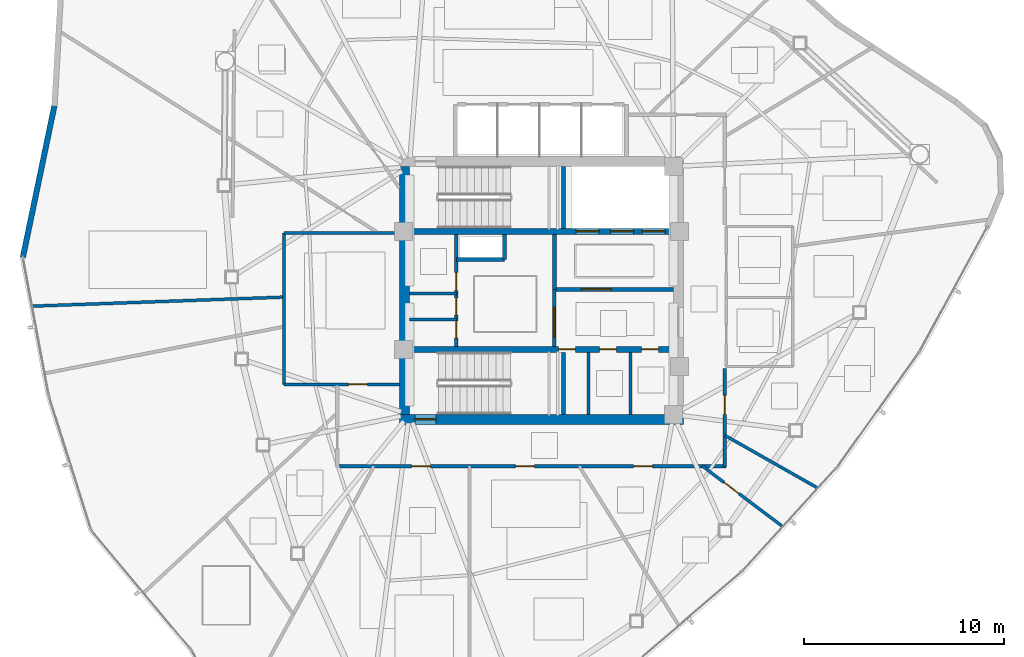
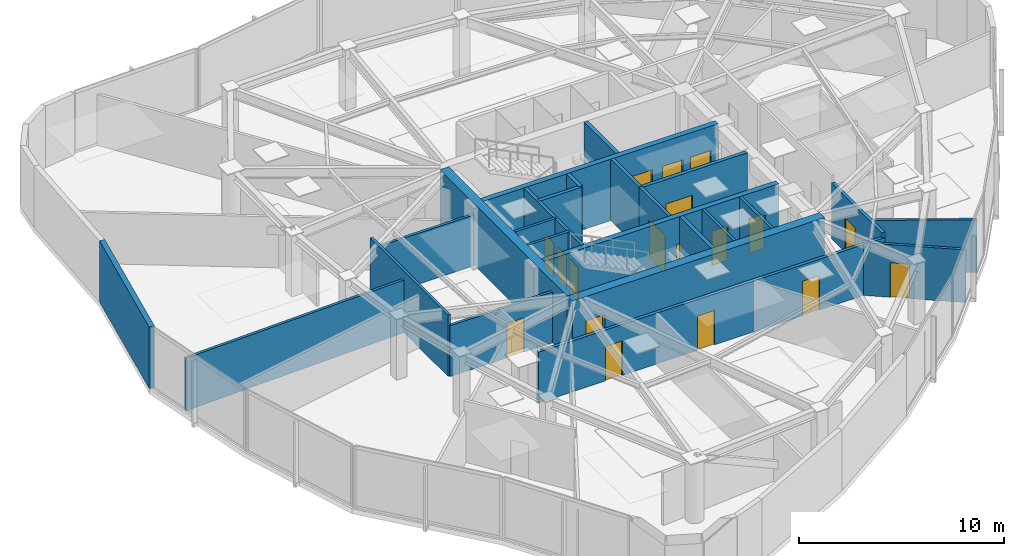
# One storey, part 8 of 13: 25 walls, 18 doors, 18 openings.
"""IFC4 building model written with IfcOpenShell, lengths in metres."""

from ifc_helpers import new_model, si_unit, direction, frame, frame_2d, origin, place, context, subcontext, project, spatial, rectangle, extrude, material, layer, layer_set, type_object, element, fill, save


model = new_model("IFC4")

# Units and contexts
model_context = context("Model", 3, precision=1e-05, world=origin(), true_north=direction((0.0, 1.0)))
body_context = subcontext(model_context, "Body", "Model", "MODEL_VIEW")
ifc_project = project(units=[si_unit("LENGTHUNIT", "METRE"), si_unit("AREAUNIT", "SQUARE_METRE"), si_unit("VOLUMEUNIT", "CUBIC_METRE"), si_unit("PLANEANGLEUNIT", "RADIAN"), si_unit("MASSUNIT", "GRAM", prefix="KILO")], contexts=[model_context])

# Site, building, storey
site_placement = place(None, origin())
site = spatial("IfcSite", under=ifc_project, at=site_placement, CompositionType="ELEMENT")
building_placement = place(site_placement, origin())
building = spatial("IfcBuilding", under=site, at=building_placement, Name="Tavelor Broadcast Tower", CompositionType="ELEMENT")
storey_placement = place(building_placement, frame((0.0, 0.0, 226.10009765625)))
storey = spatial("IfcBuildingStorey", under=building, at=storey_placement, Name="L53", CompositionType="ELEMENT", Elevation=226.10009765625)

# Wall, opening, door
ifc_material_1 = material(Name="Concrete C50/60", Category="concrete")
ifc_layer_1 = layer(ifc_material_1, 0.5)
ifc_layer_set_1 = layer_set([ifc_layer_1], Name="Concrete C50/60")
wall_type_1 = type_object("IfcWallType", Name="Core Shear Wall 500 mm", PredefinedType="SHEAR", material=ifc_layer_set_1)
wall_1_placement = place(storey_placement, frame((42.89990234375, 38.550048828125, 0.0), z_axis=(0.0, 0.0, 1.0), x_axis=(1.0, 0.0, 0.0)))
wall_1 = element("IfcWall", 1, at=wall_1_placement, inside=storey, type_object=wall_type_1, Name="L53 Central Core Shear Wall S", PredefinedType="SHEAR", context=body_context, shape_type="SweptSolid", body=[
    extrude(rectangle(XDim=14.2001953125, YDim=0.5, at=frame_2d((7.10009765625, 0.0))), origin(), (0.0, 0.0, 1.0), 3.64990234375),
])
opening_1_placement = place(wall_1_placement, frame((0.780029296875, 0.0, 0.0)))
opening_1 = element("IfcOpeningElement", 2, at=opening_1_placement, cuts=wall_1, Name="Opening DR11", PredefinedType="OPENING", context=body_context, shape_type="SweptSolid", body=[
    extrude(rectangle(XDim=1.050048828125, YDim=2.199951171875, at=frame_2d((0.52490234375, 1.10009765625))), frame((0.0, 0.260009765625, 0.0), z_axis=(0.0, -1.0, 0.0), x_axis=(1.0, 0.0, 0.0)), (0.0, 0.0, 1.0), 0.52001953125),
])
ifc_material_2 = material(Name="Steel S355", Category="steel")
door_type_1 = type_object("IfcDoorType", Name="Stair Core Fire Escape Door 1050x2200", OperationType="NOTDEFINED", PredefinedType="DOOR", material=ifc_material_2)
door_1_placement = place(opening_1_placement, origin())
door_1 = element("IfcDoor", 3, at=door_1_placement, inside=storey, type_object=door_type_1, Name="L53 Stair ST2 Protected Exit Door", OperationType="SINGLE_SWING_RIGHT", OverallHeight=2.199951171875, OverallWidth=1.050048828125, PredefinedType="DOOR", context=body_context, shape_type="SweptSolid", body=[
    extrude(rectangle(XDim=1.050048828125, YDim=2.199951171875, at=frame_2d((0.52490234375, 1.10009765625))), frame((0.0, 0.02490234375, 0.0), z_axis=(0.0, -1.0, 0.0), x_axis=(1.0, 0.0, 0.0)), (0.0, 0.0, 1.0), 0.050048828125),
])
fill(opening_1, door_1)

# Wall
wall_2_placement = place(storey_placement, frame((43.14990234375, 38.800048828125, 0.0), z_axis=(0.0, 0.0, 1.0), x_axis=(0.0, 1.0, 0.0)))
element("IfcWall", 4, at=wall_2_placement, inside=storey, type_object=wall_type_1, Name="L53 Central Core Shear Wall W", PredefinedType="SHEAR", context=body_context, shape_type="SweptSolid", body=[
    extrude(rectangle(XDim=12.39990234375, YDim=0.5, at=frame_2d((6.199951171875, 0.0))), origin(), (0.0, 0.0, 1.0), 3.64990234375),
])

# Wall, openings, doors
ifc_layer_2 = layer(ifc_material_1, 0.300048828125)
ifc_layer_set_2 = layer_set([ifc_layer_2], Name="Concrete C50/60")
wall_type_2 = type_object("IfcWallType", Name="Core Spine Shear Wall 300 mm C50", PredefinedType="SHEAR", material=ifc_layer_set_2)
wall_3_placement = place(storey_placement, frame((43.39990234375, 47.949951171875, 0.0), z_axis=(0.0, 0.0, 1.0), x_axis=(1.0, 0.0, 0.0)))
wall_3 = element("IfcWall", 5, at=wall_3_placement, inside=storey, type_object=wall_type_2, Name="L53 Central Core Shear Wall SP1", PredefinedType="SHEAR", context=body_context, shape_type="SweptSolid", body=[
    extrude(rectangle(XDim=13.2001953125, YDim=0.300048828125, at=frame_2d((6.60009765625, 0.0))), origin(), (0.0, 0.0, 1.0), 3.64990234375),
])
opening_2_placement = place(wall_3_placement, frame((8.344970703125, 0.0, 0.0)))
opening_2 = element("IfcOpeningElement", 6, at=opening_2_placement, cuts=wall_3, Name="Opening LD02", PredefinedType="OPENING", context=body_context, shape_type="SweptSolid", body=[
    extrude(rectangle(XDim=1.14990234375, YDim=2.199951171875, at=frame_2d((0.574951171875, 1.10009765625))), frame((0.0, 0.16015625, 0.0), z_axis=(0.0, -1.0, 0.0), x_axis=(1.0, 0.0, 0.0)), (0.0, 0.0, 1.0), 0.320068359375),
])
opening_3_placement = place(wall_3_placement, frame((10.06494140625, 0.0, 0.0)))
opening_3 = element("IfcOpeningElement", 7, at=opening_3_placement, cuts=wall_3, Name="Opening LD02", PredefinedType="OPENING", context=body_context, shape_type="SweptSolid", body=[
    extrude(rectangle(XDim=1.14990234375, YDim=2.199951171875, at=frame_2d((0.574951171875, 1.10009765625))), frame((0.0, 0.16015625, 0.0), z_axis=(0.0, -1.0, 0.0), x_axis=(1.0, 0.0, 0.0)), (0.0, 0.0, 1.0), 0.320068359375),
])
opening_4_placement = place(wall_3_placement, frame((11.64501953125, 0.0, 0.0)))
opening_4 = element("IfcOpeningElement", 8, at=opening_4_placement, cuts=wall_3, Name="Opening LD03", PredefinedType="OPENING", context=body_context, shape_type="SweptSolid", body=[
    extrude(rectangle(XDim=1.14990234375, YDim=2.199951171875, at=frame_2d((0.574951171875, 1.10009765625))), frame((0.0, 0.16015625, 0.0), z_axis=(0.0, -1.0, 0.0), x_axis=(1.0, 0.0, 0.0)), (0.0, 0.0, 1.0), 0.320068359375),
])
ifc_material_3 = material(Name="Reinforced Brushed Stainless Steel", Category="concrete")
door_type_2 = type_object("IfcDoorType", Name="Broadcast Goods Lift Sliding Landing Door 1250x2200", OperationType="NOTDEFINED", PredefinedType="DOOR", material=ifc_material_3)
door_2_placement = place(opening_4_placement, origin())
door_2 = element("IfcDoor", 9, at=door_2_placement, inside=storey, type_object=door_type_2, Name="L53 Lift SVL1 Sliding Landing Door", OperationType="SLIDING_TO_LEFT", OverallHeight=2.199951171875, OverallWidth=1.14990234375, PredefinedType="DOOR", context=body_context, shape_type="SweptSolid", body=[
    extrude(rectangle(XDim=1.14990234375, YDim=2.199951171875, at=frame_2d((0.574951171875, 1.10009765625))), frame((0.0, 0.02490234375, 0.0), z_axis=(0.0, -1.0, 0.0), x_axis=(1.0, 0.0, 0.0)), (0.0, 0.0, 1.0), 0.050048828125),
])
fill(opening_4, door_2)
ifc_material_4 = material(Name="Fire-Rated Stainless Steel", Category="steel")
door_type_3 = type_object("IfcDoorType", Name="Firefighting Lift Sliding Landing Door 1200x2200", OperationType="NOTDEFINED", PredefinedType="DOOR", material=ifc_material_4)
door_3_placement = place(opening_2_placement, origin())
door_3 = element("IfcDoor", 10, at=door_3_placement, inside=storey, type_object=door_type_3, Name="L53 Lift FFL1 Sliding Landing Door", OperationType="SLIDING_TO_LEFT", OverallHeight=2.199951171875, OverallWidth=1.14990234375, PredefinedType="DOOR", context=body_context, shape_type="SweptSolid", body=[
    extrude(rectangle(XDim=1.14990234375, YDim=2.199951171875, at=frame_2d((0.574951171875, 1.10009765625))), frame((0.0, 0.02490234375, 0.0), z_axis=(0.0, -1.0, 0.0), x_axis=(1.0, 0.0, 0.0)), (0.0, 0.0, 1.0), 0.050048828125),
])
fill(opening_2, door_3)
door_4_placement = place(opening_3_placement, origin())
door_4 = element("IfcDoor", 11, at=door_4_placement, inside=storey, type_object=door_type_3, Name="L53 Lift FFL2 Sliding Landing Door", OperationType="SLIDING_TO_LEFT", OverallHeight=2.199951171875, OverallWidth=1.14990234375, PredefinedType="DOOR", context=body_context, shape_type="SweptSolid", body=[
    extrude(rectangle(XDim=1.14990234375, YDim=2.199951171875, at=frame_2d((0.574951171875, 1.10009765625))), frame((0.0, 0.02490234375, 0.0), z_axis=(0.0, -1.0, 0.0), x_axis=(1.0, 0.0, 0.0)), (0.0, 0.0, 1.0), 0.050048828125),
])
fill(opening_3, door_4)

wall_4_placement = place(storey_placement, frame((43.39990234375, 42.050048828125, 0.0), z_axis=(0.0, 0.0, 1.0), x_axis=(1.0, 0.0, 0.0)))
wall_4 = element("IfcWall", 12, at=wall_4_placement, inside=storey, type_object=wall_type_2, Name="L53 Central Core Shear Wall SP2", PredefinedType="SHEAR", context=body_context, shape_type="SweptSolid", body=[
    extrude(rectangle(XDim=13.2001953125, YDim=0.300048828125, at=frame_2d((6.60009765625, 0.0))), origin(), (0.0, 0.0, 1.0), 3.64990234375),
])
opening_5_placement = place(wall_4_placement, frame((7.449951171875, 0.0, 0.0)))
opening_5 = element("IfcOpeningElement", 13, at=opening_5_placement, cuts=wall_4, Name="Opening DR36", PredefinedType="OPENING", context=body_context, shape_type="SweptSolid", body=[
    extrude(rectangle(XDim=0.85009765625, YDim=2.050048828125, at=frame_2d((0.425048828125, 1.02490234375))), frame((0.0, 0.16015625, 0.0), z_axis=(0.0, -1.0, 0.0), x_axis=(1.0, 0.0, 0.0)), (0.0, 0.0, 1.0), 0.320068359375),
])
opening_6_placement = place(wall_4_placement, frame((9.5, 0.0, 0.0)))
opening_6 = element("IfcOpeningElement", 14, at=opening_6_placement, cuts=wall_4, Name="Opening DR36", PredefinedType="OPENING", context=body_context, shape_type="SweptSolid", body=[
    extrude(rectangle(XDim=0.85009765625, YDim=2.050048828125, at=frame_2d((0.425048828125, 1.02490234375))), frame((0.0, 0.16015625, 0.0), z_axis=(0.0, -1.0, 0.0), x_axis=(1.0, 0.0, 0.0)), (0.0, 0.0, 1.0), 0.320068359375),
])
opening_7_placement = place(wall_4_placement, frame((11.60009765625, 0.0, 0.0)))
opening_7 = element("IfcOpeningElement", 15, at=opening_7_placement, cuts=wall_4, Name="Opening DR36", PredefinedType="OPENING", context=body_context, shape_type="SweptSolid", body=[
    extrude(rectangle(XDim=0.85009765625, YDim=2.050048828125, at=frame_2d((0.425048828125, 1.02490234375))), frame((0.0, 0.16015625, 0.0), z_axis=(0.0, -1.0, 0.0), x_axis=(1.0, 0.0, 0.0)), (0.0, 0.0, 1.0), 0.320068359375),
])
door_type_4 = type_object("IfcDoorType", Name="Service Room Fire Door 850x2050", OperationType="NOTDEFINED", PredefinedType="DOOR", material=ifc_material_2)
door_5_placement = place(opening_5_placement, origin())
door_5 = element("IfcDoor", 16, at=door_5_placement, inside=storey, type_object=door_type_4, Name="L53 Reclaimed South Core Pod 1 Door", OperationType="SINGLE_SWING_RIGHT", OverallHeight=2.050048828125, OverallWidth=0.85009765625, PredefinedType="DOOR", context=body_context, shape_type="SweptSolid", body=[
    extrude(rectangle(XDim=0.85009765625, YDim=2.050048828125, at=frame_2d((0.425048828125, 1.02490234375))), frame((0.0, 0.02490234375, 0.0), z_axis=(0.0, -1.0, 0.0), x_axis=(1.0, 0.0, 0.0)), (0.0, 0.0, 1.0), 0.050048828125),
])
fill(opening_5, door_5)
door_6_placement = place(opening_6_placement, origin())
door_6 = element("IfcDoor", 17, at=door_6_placement, inside=storey, type_object=door_type_4, Name="L53 Reclaimed South Core Pod 2 Door", OperationType="SINGLE_SWING_LEFT", OverallHeight=2.050048828125, OverallWidth=0.85009765625, PredefinedType="DOOR", context=body_context, shape_type="SweptSolid", body=[
    extrude(rectangle(XDim=0.85009765625, YDim=2.050048828125, at=frame_2d((0.425048828125, 1.02490234375))), frame((0.0, 0.02490234375, 0.0), z_axis=(0.0, -1.0, 0.0), x_axis=(1.0, 0.0, 0.0)), (0.0, 0.0, 1.0), 0.050048828125),
])
fill(opening_6, door_6)
door_7_placement = place(opening_7_placement, origin())
door_7 = element("IfcDoor", 18, at=door_7_placement, inside=storey, type_object=door_type_4, Name="L53 Reclaimed South Core Pod 3 Door", OperationType="SINGLE_SWING_RIGHT", OverallHeight=2.050048828125, OverallWidth=0.85009765625, PredefinedType="DOOR", context=body_context, shape_type="SweptSolid", body=[
    extrude(rectangle(XDim=0.85009765625, YDim=2.050048828125, at=frame_2d((0.425048828125, 1.02490234375))), frame((0.0, 0.02490234375, 0.0), z_axis=(0.0, -1.0, 0.0), x_axis=(1.0, 0.0, 0.0)), (0.0, 0.0, 1.0), 0.050048828125),
])
fill(opening_7, door_7)

# Wall, opening, door
ifc_material_5 = material(Name="Calcium Silicate Fire Board 180 mm", Category="gypsum")
ifc_layer_3 = layer(ifc_material_5, 0.179931640625)
ifc_layer_set_3 = layer_set([ifc_layer_3], Name="Calcium Silicate Fire Board 180 mm")
wall_type_3 = type_object("IfcWallType", Name="Fire-Rated Corridor Partition Wall 180 mm", PredefinedType="PARTITIONING", material=ifc_layer_set_3)
wall_5_placement = place(storey_placement, frame((50.64990234375, 42.199951171875, 0.0), z_axis=(0.0, 0.0, 1.0), x_axis=(0.0, 1.0, 0.0)))
wall_5 = element("IfcWall", 19, at=wall_5_placement, inside=storey, type_object=wall_type_3, Name="L53 Core Lobby Zoning Wall", PredefinedType="PARTITIONING", context=body_context, shape_type="SweptSolid", body=[
    extrude(rectangle(XDim=2.85009765625, YDim=0.179931640625, at=frame_2d((1.425048828125, 0.0))), origin(), (0.0, 0.0, 1.0), 3.64990234375),
])
opening_8_placement = place(wall_5_placement, frame((0.449951171875, 0.0, 0.0)))
opening_8 = element("IfcOpeningElement", 20, at=opening_8_placement, cuts=wall_5, Name="Opening DR14", PredefinedType="OPENING", context=body_context, shape_type="SweptSolid", body=[
    extrude(rectangle(XDim=1.5, YDim=2.199951171875, at=frame_2d((0.75, 1.10009765625))), frame((0.0, 0.10009765625, 0.0), z_axis=(0.0, -1.0, 0.0), x_axis=(1.0, 0.0, 0.0)), (0.0, 0.0, 1.0), 0.199951171875),
])
door_type_5 = type_object("IfcDoorType", Name="Firefighting Lobby Double Fire Door 1500x2200", OperationType="NOTDEFINED", PredefinedType="DOOR", material=ifc_material_2)
door_8_placement = place(opening_8_placement, origin())
door_8 = element("IfcDoor", 21, at=door_8_placement, inside=storey, type_object=door_type_5, Name="L53 Core West Lobby Double Fire Door", OperationType="SINGLE_SWING_LEFT", OverallHeight=2.199951171875, OverallWidth=1.5, PredefinedType="DOOR", context=body_context, shape_type="SweptSolid", body=[
    extrude(rectangle(XDim=1.5, YDim=2.199951171875, at=frame_2d((0.75, 1.10009765625))), frame((0.0, 0.02490234375, 0.0), z_axis=(0.0, -1.0, 0.0), x_axis=(1.0, 0.0, 0.0)), (0.0, 0.0, 1.0), 0.050048828125),
])
fill(opening_8, door_8)

# Wall, openings, doors
wall_6_placement = place(storey_placement, frame((45.75, 42.199951171875, 0.0), z_axis=(0.0, 0.0, 1.0), x_axis=(0.0, 1.0, 0.0)))
wall_6 = element("IfcWall", 22, at=wall_6_placement, inside=storey, type_object=wall_type_3, Name="L53 Core West Service East Wall", PredefinedType="PARTITIONING", context=body_context, shape_type="SweptSolid", body=[
    extrude(rectangle(XDim=5.60009765625, YDim=0.179931640625, at=frame_2d((2.800048828125, 0.0))), origin(), (0.0, 0.0, 1.0), 3.64990234375),
])
opening_9_placement = place(wall_6_placement, frame((0.419921875, 0.0, 0.0)))
opening_9 = element("IfcOpeningElement", 23, at=opening_9_placement, cuts=wall_6, Name="Opening DR36", PredefinedType="OPENING", context=body_context, shape_type="SweptSolid", body=[
    extrude(rectangle(XDim=0.85009765625, YDim=2.050048828125, at=frame_2d((0.425048828125, 1.02490234375))), frame((0.0, 0.10009765625, 0.0), z_axis=(0.0, -1.0, 0.0), x_axis=(1.0, 0.0, 0.0)), (0.0, 0.0, 1.0), 0.199951171875),
])
opening_10_placement = place(wall_6_placement, frame((1.570068359375, 0.0, 0.0)))
opening_10 = element("IfcOpeningElement", 24, at=opening_10_placement, cuts=wall_6, Name="Opening DR36", PredefinedType="OPENING", context=body_context, shape_type="SweptSolid", body=[
    extrude(rectangle(XDim=0.85009765625, YDim=2.050048828125, at=frame_2d((0.425048828125, 1.02490234375))), frame((0.0, 0.10009765625, 0.0), z_axis=(0.0, -1.0, 0.0), x_axis=(1.0, 0.0, 0.0)), (0.0, 0.0, 1.0), 0.199951171875),
])
opening_11_placement = place(wall_6_placement, frame((2.800048828125, 0.0, 0.0)))
opening_11 = element("IfcOpeningElement", 25, at=opening_11_placement, cuts=wall_6, Name="Opening DR32", PredefinedType="OPENING", context=body_context, shape_type="SweptSolid", body=[
    extrude(rectangle(XDim=0.89990234375, YDim=2.050048828125, at=frame_2d((0.449951171875, 1.02490234375))), frame((0.0, 0.10009765625, 0.0), z_axis=(0.0, -1.0, 0.0), x_axis=(1.0, 0.0, 0.0)), (0.0, 0.0, 1.0), 0.199951171875),
])
ifc_material_6 = material(Name="Timber Solid Core Hardwood", Category="wood")
door_type_6 = type_object("IfcDoorType", Name="Accessible Washroom Door 900x2050", OperationType="NOTDEFINED", PredefinedType="DOOR", material=ifc_material_6)
door_9_placement = place(opening_11_placement, origin())
door_9 = element("IfcDoor", 26, at=door_9_placement, inside=storey, type_object=door_type_6, Name="L53 Core Accessible WC Door", OperationType="SINGLE_SWING_LEFT", OverallHeight=2.050048828125, OverallWidth=0.89990234375, PredefinedType="DOOR", context=body_context, shape_type="SweptSolid", body=[
    extrude(rectangle(XDim=0.89990234375, YDim=2.050048828125, at=frame_2d((0.449951171875, 1.02490234375))), frame((0.0, 0.02490234375, 0.0), z_axis=(0.0, -1.0, 0.0), x_axis=(1.0, 0.0, 0.0)), (0.0, 0.0, 1.0), 0.050048828125),
])
fill(opening_11, door_9)
door_10_placement = place(opening_9_placement, origin())
door_10 = element("IfcDoor", 27, at=door_10_placement, inside=storey, type_object=door_type_4, Name="L53 Core Medical Room Door", OperationType="SINGLE_SWING_LEFT", OverallHeight=2.050048828125, OverallWidth=0.85009765625, PredefinedType="DOOR", context=body_context, shape_type="SweptSolid", body=[
    extrude(rectangle(XDim=0.85009765625, YDim=2.050048828125, at=frame_2d((0.425048828125, 1.02490234375))), frame((0.0, 0.02490234375, 0.0), z_axis=(0.0, -1.0, 0.0), x_axis=(1.0, 0.0, 0.0)), (0.0, 0.0, 1.0), 0.050048828125),
])
fill(opening_9, door_10)
door_11_placement = place(opening_10_placement, origin())
door_11 = element("IfcDoor", 28, at=door_11_placement, inside=storey, type_object=door_type_4, Name="L53 Core Copy Room Door", OperationType="SINGLE_SWING_RIGHT", OverallHeight=2.050048828125, OverallWidth=0.85009765625, PredefinedType="DOOR", context=body_context, shape_type="SweptSolid", body=[
    extrude(rectangle(XDim=0.85009765625, YDim=2.050048828125, at=frame_2d((0.425048828125, 1.02490234375))), frame((0.0, 0.02490234375, 0.0), z_axis=(0.0, -1.0, 0.0), x_axis=(1.0, 0.0, 0.0)), (0.0, 0.0, 1.0), 0.050048828125),
])
fill(opening_10, door_11)

# Wall, opening, door
wall_7_placement = place(storey_placement, frame((59.179931640625, 41.10009765625, 0.0), z_axis=(0.0, 0.0, 1.0), x_axis=(0.0, -1.0, 0.0)))
wall_7 = element("IfcWall", 29, at=wall_7_placement, inside=storey, type_object=wall_type_3, Name="L53 Corridor Compartment Wall 03", PredefinedType="PARTITIONING", context=body_context, shape_type="SweptSolid", body=[
    extrude(rectangle(XDim=4.93017578125, YDim=0.179931640625, at=frame_2d((2.465087890625, 0.0))), origin(), (0.0, 0.0, 1.0), 3.324951171875),
])
opening_12_placement = place(wall_7_placement, frame((1.341796875, 0.0, 0.0)))
opening_12 = element("IfcOpeningElement", 30, at=opening_12_placement, cuts=wall_7, Name="Opening DR18", PredefinedType="OPENING", context=body_context, shape_type="SweptSolid", body=[
    extrude(rectangle(XDim=0.949951171875, YDim=2.050048828125, at=frame_2d((0.47509765625, 1.02490234375))), frame((0.0, 0.10009765625, 0.0), z_axis=(0.0, -1.0, 0.0), x_axis=(1.0, 0.0, 0.0)), (0.0, 0.0, 1.0), 0.199951171875),
])
door_type_7 = type_object("IfcDoorType", Name="Corridor Rated Compartment Door 950x2050", OperationType="NOTDEFINED", PredefinedType="DOOR", material=ifc_material_6)
door_12_placement = place(opening_12_placement, origin())
door_12 = element("IfcDoor", 31, at=door_12_placement, inside=storey, type_object=door_type_7, Name="L53 Master Control Room Door R11", OperationType="SINGLE_SWING_RIGHT", OverallHeight=2.050048828125, OverallWidth=0.949951171875, PredefinedType="DOOR", context=body_context, shape_type="SweptSolid", body=[
    extrude(rectangle(XDim=0.949951171875, YDim=2.050048828125, at=frame_2d((0.47509765625, 1.02490234375))), frame((0.0, 0.02490234375, 0.0), z_axis=(0.0, -1.0, 0.0), x_axis=(1.0, 0.0, 0.0)), (0.0, 0.0, 1.0), 0.050048828125),
])
fill(opening_12, door_12)

# Wall, openings, doors
wall_8_placement = place(storey_placement, frame((59.22998046875, 36.219970703125, 0.0), z_axis=(0.0, 0.0, 1.0), x_axis=(-1.0, 0.0, 0.0)))
wall_8 = element("IfcWall", 32, at=wall_8_placement, inside=storey, type_object=wall_type_3, Name="L53 Corridor Compartment Wall 04", PredefinedType="PARTITIONING", context=body_context, shape_type="SweptSolid", body=[
    extrude(rectangle(XDim=19.47998046875, YDim=0.179931640625, at=frame_2d((9.739990234375, 0.0))), origin(), (0.0, 0.0, 1.0), 3.02490234375),
])
opening_13_placement = place(wall_8_placement, frame((3.66552734375, 0.0, 0.0)))
opening_13 = element("IfcOpeningElement", 33, at=opening_13_placement, cuts=wall_8, Name="Opening DR18", PredefinedType="OPENING", context=body_context, shape_type="SweptSolid", body=[
    extrude(rectangle(XDim=0.949951171875, YDim=2.050048828125, at=frame_2d((0.47509765625, 1.02490234375))), frame((0.0, 0.10009765625, 0.0), z_axis=(0.0, -1.0, 0.0), x_axis=(1.0, 0.0, 0.0)), (0.0, 0.0, 1.0), 0.199951171875),
])
opening_14_placement = place(wall_8_placement, frame((9.5791015625, 0.0, 0.0)))
opening_14 = element("IfcOpeningElement", 34, at=opening_14_placement, cuts=wall_8, Name="Opening DR18", PredefinedType="OPENING", context=body_context, shape_type="SweptSolid", body=[
    extrude(rectangle(XDim=0.949951171875, YDim=2.050048828125, at=frame_2d((0.47509765625, 1.02490234375))), frame((0.0, 0.10009765625, 0.0), z_axis=(0.0, -1.0, 0.0), x_axis=(1.0, 0.0, 0.0)), (0.0, 0.0, 1.0), 0.199951171875),
])
opening_15_placement = place(wall_8_placement, frame((14.762451171875, 0.0, 0.0)))
opening_15 = element("IfcOpeningElement", 35, at=opening_15_placement, cuts=wall_8, Name="Opening DR18", PredefinedType="OPENING", context=body_context, shape_type="SweptSolid", body=[
    extrude(rectangle(XDim=0.949951171875, YDim=2.050048828125, at=frame_2d((0.47509765625, 1.02490234375))), frame((0.0, 0.10009765625, 0.0), z_axis=(0.0, -1.0, 0.0), x_axis=(1.0, 0.0, 0.0)), (0.0, 0.0, 1.0), 0.199951171875),
])
door_13_placement = place(opening_13_placement, origin())
door_13 = element("IfcDoor", 36, at=door_13_placement, inside=storey, type_object=door_type_7, Name="L53 Audio Dubbing Studio Door R0", OperationType="SINGLE_SWING_LEFT", OverallHeight=2.050048828125, OverallWidth=0.949951171875, PredefinedType="DOOR", context=body_context, shape_type="SweptSolid", body=[
    extrude(rectangle(XDim=0.949951171875, YDim=2.050048828125, at=frame_2d((0.47509765625, 1.02490234375))), frame((0.0, 0.02490234375, 0.0), z_axis=(0.0, -1.0, 0.0), x_axis=(1.0, 0.0, 0.0)), (0.0, 0.0, 1.0), 0.050048828125),
])
fill(opening_13, door_13)
door_14_placement = place(opening_14_placement, origin())
door_14 = element("IfcDoor", 37, at=door_14_placement, inside=storey, type_object=door_type_7, Name="L53 Podcast Recording Studio Door R1", OperationType="SINGLE_SWING_RIGHT", OverallHeight=2.050048828125, OverallWidth=0.949951171875, PredefinedType="DOOR", context=body_context, shape_type="SweptSolid", body=[
    extrude(rectangle(XDim=0.949951171875, YDim=2.050048828125, at=frame_2d((0.47509765625, 1.02490234375))), frame((0.0, 0.02490234375, 0.0), z_axis=(0.0, -1.0, 0.0), x_axis=(1.0, 0.0, 0.0)), (0.0, 0.0, 1.0), 0.050048828125),
])
fill(opening_14, door_14)
door_15_placement = place(opening_15_placement, origin())
door_15 = element("IfcDoor", 38, at=door_15_placement, inside=storey, type_object=door_type_7, Name="L53 Colour Grading Studio Door R2", OperationType="SINGLE_SWING_LEFT", OverallHeight=2.050048828125, OverallWidth=0.949951171875, PredefinedType="DOOR", context=body_context, shape_type="SweptSolid", body=[
    extrude(rectangle(XDim=0.949951171875, YDim=2.050048828125, at=frame_2d((0.47509765625, 1.02490234375))), frame((0.0, 0.02490234375, 0.0), z_axis=(0.0, -1.0, 0.0), x_axis=(1.0, 0.0, 0.0)), (0.0, 0.0, 1.0), 0.050048828125),
])
fill(opening_15, door_15)

# Walls
ifc_material_7 = material(Name="Precast Concrete C40/50", Category="concrete")
ifc_layer_4 = layer(ifc_material_7, 0.280029296875)
ifc_layer_set_4 = layer_set([ifc_layer_4], Name="Precast Concrete C40/50")
wall_type_4 = type_object("IfcWallType", Name="Insulated Precast Terracotta Facade Wall 280 mm", PredefinedType="STANDARD", material=ifc_layer_set_4)
wall_9_placement = place(storey_placement, frame((25.6572265625, 54.260986328125, 0.0), z_axis=(0.0, 0.0, 1.0), x_axis=(-0.203778439019, -0.97901703141, 0.0)))
element("IfcWall", 39, at=wall_9_placement, inside=storey, type_object=wall_type_4, Name="L53 Rounded Corner Structural Cladding Pier 06", PredefinedType="STANDARD", context=body_context, shape_type="SweptSolid", body=[
    extrude(rectangle(XDim=7.763427734375, YDim=0.280029296875, at=frame_2d((3.8818359375, 0.0))), origin(), (0.0, 0.0, 1.0), 3.64990234375),
])
ifc_material_8 = material(Name="Gypsum Acoustic Plasterboard 150 mm", Category="gypsum")
ifc_layer_5 = layer(ifc_material_8, 0.14990234375)
ifc_layer_set_5 = layer_set([ifc_layer_5], Name="Gypsum Acoustic Plasterboard 150 mm")
wall_type_5 = type_object("IfcWallType", Name="Interior Acoustic Partition Wall 150 mm", PredefinedType="PARTITIONING", material=ifc_layer_set_5)
for number, where, z_axis, x_axis, name in (
    (40, (52.35009765625, 38.800048828125, 0.0), (0.0, 0.0, 1.0), (0.0, 1.0, 0.0), "L53 Reclaimed South Core Divider 1"),
    (41, (54.449951171875, 38.800048828125, 0.0), (0.0, 0.0, 1.0), (0.0, 1.0, 0.0), "L53 Reclaimed South Core Divider 2"),
):
    element("IfcWall", number, at=place(storey_placement, frame(where, z_axis=z_axis, x_axis=x_axis)), inside=storey, type_object=wall_type_5, Name=name, PredefinedType="PARTITIONING", context=body_context, shape_type="SweptSolid", body=[
        extrude(rectangle(XDim=3.099853515625, YDim=0.14990234375, at=frame_2d((1.5498046875, 0.0))), origin(), (0.0, 0.0, 1.0), 3.64990234375),
    ])
for number, where, z_axis, x_axis, name in (
    (42, (43.39990234375, 43.550048828125, 0.0), (0.0, 0.0, 1.0), (1.0, 0.0, 0.0), "L53 Core Split Wall B1"),
    (43, (43.39990234375, 44.85009765625, 0.0), (0.0, 0.0, 1.0), (1.0, 0.0, 0.0), "L53 Core Split Wall B2"),
):
    element("IfcWall", number, at=place(storey_placement, frame(where, z_axis=z_axis, x_axis=x_axis)), inside=storey, type_object=wall_type_5, Name=name, PredefinedType="PARTITIONING", context=body_context, shape_type="SweptSolid", body=[
        extrude(rectangle(XDim=2.35009765625, YDim=0.14990234375, at=frame_2d((1.175048828125, 0.0))), origin(), (0.0, 0.0, 1.0), 3.64990234375),
    ])

# Wall, opening, door
wall_10_placement = place(storey_placement, frame((37.139892578125, 40.300048828125, 0.0), z_axis=(0.0, 0.0, 1.0), x_axis=(1.0, 0.0, 0.0)))
wall_10 = element("IfcWall", 44, at=wall_10_placement, inside=storey, type_object=wall_type_5, Name="L53 Reclaimed Shaft Pantry South Wall", PredefinedType="PARTITIONING", context=body_context, shape_type="SweptSolid", body=[
    extrude(rectangle(XDim=5.760009765625, YDim=0.14990234375, at=frame_2d((2.8798828125, 0.0))), origin(), (0.0, 0.0, 1.0), 3.02490234375),
])
opening_16_placement = place(wall_10_placement, frame((3.2099609375, 0.0, 0.0)))
opening_16 = element("IfcOpeningElement", 45, at=opening_16_placement, cuts=wall_10, Name="Opening DR18", PredefinedType="OPENING", context=body_context, shape_type="SweptSolid", body=[
    extrude(rectangle(XDim=0.949951171875, YDim=2.050048828125, at=frame_2d((0.47509765625, 1.02490234375))), frame((0.0, 0.0849609375, 0.0), z_axis=(0.0, -1.0, 0.0), x_axis=(1.0, 0.0, 0.0)), (0.0, 0.0, 1.0), 0.169921875),
])
door_16_placement = place(opening_16_placement, origin())
door_16 = element("IfcDoor", 46, at=door_16_placement, inside=storey, type_object=door_type_7, Name="L53 Broadcast IT Patch and Pantry Door", OperationType="SINGLE_SWING_LEFT", OverallHeight=2.050048828125, OverallWidth=0.949951171875, PredefinedType="DOOR", context=body_context, shape_type="SweptSolid", body=[
    extrude(rectangle(XDim=0.949951171875, YDim=2.050048828125, at=frame_2d((0.47509765625, 1.02490234375))), frame((0.0, 0.02490234375, 0.0), z_axis=(0.0, -1.0, 0.0), x_axis=(1.0, 0.0, 0.0)), (0.0, 0.0, 1.0), 0.050048828125),
])
fill(opening_16, door_16)

# Walls
wall_11_placement = place(storey_placement, frame((37.139892578125, 40.300048828125, 0.0), z_axis=(0.0, 0.0, 1.0), x_axis=(0.0, 1.0, 0.0)))
element("IfcWall", 47, at=wall_11_placement, inside=storey, type_object=wall_type_5, Name="L53 Reclaimed Shaft Pantry West Wall", PredefinedType="PARTITIONING", context=body_context, shape_type="SweptSolid", body=[
    extrude(rectangle(XDim=7.579833984375, YDim=0.14990234375, at=frame_2d((3.7900390625, 0.0))), origin(), (0.0, 0.0, 1.0), 3.64990234375),
])
wall_12_placement = place(storey_placement, frame((37.139892578125, 47.8798828125, 0.0), z_axis=(0.0, 0.0, 1.0), x_axis=(1.0, 0.0, 0.0)))
element("IfcWall", 48, at=wall_12_placement, inside=storey, type_object=wall_type_5, Name="L53 Reclaimed Shaft Pantry North Wall", PredefinedType="PARTITIONING", context=body_context, shape_type="SweptSolid", body=[
    extrude(rectangle(XDim=5.760009765625, YDim=0.14990234375, at=frame_2d((2.8798828125, 0.0))), origin(), (0.0, 0.0, 1.0), 3.02490234375),
])

# Wall, opening, door
wall_13_placement = place(storey_placement, frame((58.051513671875, 36.219970703125, 0.0), z_axis=(0.0, 0.0, 1.0), x_axis=(0.79862211322, -0.601832800931, 0.0)))
wall_13 = element("IfcWall", 49, at=wall_13_placement, inside=storey, type_object=wall_type_5, Name="L53 Radial Compartment Wall 01", PredefinedType="PARTITIONING", context=body_context, shape_type="SweptSolid", body=[
    extrude(rectangle(XDim=5.046875, YDim=0.14990234375, at=frame_2d((2.5234375, 0.0))), origin(), (0.0, 0.0, 1.0), 3.135009765625),
])
opening_17_placement = place(wall_13_placement, frame((1.35009765625, 0.0, 0.0)))
opening_17 = element("IfcOpeningElement", 50, at=opening_17_placement, cuts=wall_13, Name="Opening DR18", PredefinedType="OPENING", context=body_context, shape_type="SweptSolid", body=[
    extrude(rectangle(XDim=0.949951171875, YDim=2.050048828125, at=frame_2d((0.47509765625, 1.02490234375))), frame((0.0, 0.0849609375, 0.0), z_axis=(0.0, -1.0, 0.0), x_axis=(1.0, 0.0, 0.0)), (0.0, 0.0, 1.0), 0.169921875),
])
door_17_placement = place(opening_17_placement, origin())
door_17 = element("IfcDoor", 51, at=door_17_placement, inside=storey, type_object=door_type_7, Name="L53 Suite Connecting Door 12", OperationType="SINGLE_SWING_LEFT", OverallHeight=2.050048828125, OverallWidth=0.949951171875, PredefinedType="DOOR", context=body_context, shape_type="SweptSolid", body=[
    extrude(rectangle(XDim=0.949951171875, YDim=2.050048828125, at=frame_2d((0.47509765625, 1.02490234375))), frame((0.0, 0.02490234375, 0.0), z_axis=(0.0, -1.0, 0.0), x_axis=(1.0, 0.0, 0.0)), (0.0, 0.0, 1.0), 0.050048828125),
])
fill(opening_17, door_17)

# Walls
wall_14_placement = place(storey_placement, frame((59.179931640625, 37.752197265625, 0.0), z_axis=(0.0, 0.0, 1.0), x_axis=(0.869856049735, -0.49330563826, 0.0)))
element("IfcWall", 52, at=wall_14_placement, inside=storey, type_object=wall_type_5, Name="L53 Radial Compartment Wall 02", PredefinedType="PARTITIONING", context=body_context, shape_type="SweptSolid", body=[
    extrude(rectangle(XDim=5.359375, YDim=0.14990234375, at=frame_2d((2.6796875, 0.0))), origin(), (0.0, 0.0, 1.0), 3.135009765625),
])
wall_15_placement = place(storey_placement, frame((37.080078125, 44.665283203125, 0.0), z_axis=(0.0, 0.0, 1.0), x_axis=(-0.999354882677, -0.035914042805, 0.0)))
element("IfcWall", 53, at=wall_15_placement, inside=storey, type_object=wall_type_5, Name="L53 Radial Compartment Wall 08", PredefinedType="PARTITIONING", context=body_context, shape_type="SweptSolid", body=[
    extrude(rectangle(XDim=12.5625, YDim=0.14990234375, at=frame_2d((6.28125, 0.0))), origin(), (0.0, 0.0, 1.0), 3.135009765625),
])
ifc_material_9 = material(Name="Concrete Blockwork 200 mm", Category="masonry")
ifc_layer_6 = layer(ifc_material_9, 0.199951171875)
ifc_layer_set_6 = layer_set([ifc_layer_6], Name="Concrete Blockwork 200 mm")
wall_type_6 = type_object("IfcWallType", Name="Lift and Riser Shaft Enclosure Wall 200 mm", PredefinedType="PARTITIONING", material=ifc_layer_set_6)
wall_16_placement = place(storey_placement, frame((45.75, 46.550048828125, 0.0), z_axis=(0.0, 0.0, 1.0), x_axis=(1.0, 0.0, 0.0)))
element("IfcWall", 54, at=wall_16_placement, inside=storey, type_object=wall_type_6, Name="L53 Riser Shaft South Wall", PredefinedType="PARTITIONING", context=body_context, shape_type="SweptSolid", body=[
    extrude(rectangle(XDim=2.39990234375, YDim=0.199951171875, at=frame_2d((1.199951171875, 0.0))), origin(), (0.0, 0.0, 1.0), 3.64990234375),
])
wall_17_placement = place(storey_placement, frame((48.14990234375, 46.550048828125, 0.0), z_axis=(0.0, 0.0, 1.0), x_axis=(0.0, 1.0, 0.0)))
element("IfcWall", 55, at=wall_17_placement, inside=storey, type_object=wall_type_6, Name="L53 Riser Shaft East Wall", PredefinedType="PARTITIONING", context=body_context, shape_type="SweptSolid", body=[
    extrude(rectangle(XDim=1.25, YDim=0.199951171875, at=frame_2d((0.625, 0.0))), origin(), (0.0, 0.0, 1.0), 3.64990234375),
])

# Wall, opening, door
wall_18_placement = place(storey_placement, frame((50.64990234375, 45.050048828125, 0.0), z_axis=(0.0, 0.0, 1.0), x_axis=(1.0, 0.0, 0.0)))
wall_18 = element("IfcWall", 56, at=wall_18_placement, inside=storey, type_object=wall_type_6, Name="L53 Firefighting Lobby South Wall", PredefinedType="PARTITIONING", context=body_context, shape_type="SweptSolid", body=[
    extrude(rectangle(XDim=5.9501953125, YDim=0.199951171875, at=frame_2d((2.97509765625, 0.0))), origin(), (0.0, 0.0, 1.0), 3.64990234375),
])
opening_18_placement = place(wall_18_placement, frame((1.35009765625, 0.0, 0.0)))
opening_18 = element("IfcOpeningElement", 57, at=opening_18_placement, cuts=wall_18, Name="Opening DR14", PredefinedType="OPENING", context=body_context, shape_type="SweptSolid", body=[
    extrude(rectangle(XDim=1.5, YDim=2.199951171875, at=frame_2d((0.75, 1.10009765625))), frame((0.0, 0.10986328125, 0.0), z_axis=(0.0, -1.0, 0.0), x_axis=(1.0, 0.0, 0.0)), (0.0, 0.0, 1.0), 0.219970703125),
])
door_18_placement = place(opening_18_placement, origin())
door_18 = element("IfcDoor", 58, at=door_18_placement, inside=storey, type_object=door_type_5, Name="L53 Firefighting Lobby Compartment Door", OperationType="SINGLE_SWING_RIGHT", OverallHeight=2.199951171875, OverallWidth=1.5, PredefinedType="DOOR", context=body_context, shape_type="SweptSolid", body=[
    extrude(rectangle(XDim=1.5, YDim=2.199951171875, at=frame_2d((0.75, 1.10009765625))), frame((0.0, 0.02490234375, 0.0), z_axis=(0.0, -1.0, 0.0), x_axis=(1.0, 0.0, 0.0)), (0.0, 0.0, 1.0), 0.050048828125),
])
fill(opening_18, door_18)

# Walls
wall_19_placement = place(storey_placement, frame((50.64990234375, 45.050048828125, 0.0), z_axis=(0.0, 0.0, 1.0), x_axis=(0.0, 1.0, 0.0)))
element("IfcWall", 59, at=wall_19_placement, inside=storey, type_object=wall_type_6, Name="L53 Firefighting Lobby West Wall", PredefinedType="PARTITIONING", context=body_context, shape_type="SweptSolid", body=[
    extrude(rectangle(XDim=2.75, YDim=0.199951171875, at=frame_2d((1.375, 0.0))), origin(), (0.0, 0.0, 1.0), 3.64990234375),
])
ifc_material_10 = material(Name="Concrete C40/50", Category="concrete")
ifc_layer_7 = layer(ifc_material_10, 0.219970703125)
ifc_layer_set_7 = layer_set([ifc_layer_7], Name="Concrete C40/50")
wall_type_7 = type_object("IfcWallType", Name="Structural Stairwell Shear Wall 220 mm", PredefinedType="SHEAR", material=ifc_layer_set_7)
for number, where, z_axis, x_axis, name in (
    (60, (51.110107421875, 48.10009765625, 0.0), (0.0, 0.0, 1.0), (0.0, 1.0, 0.0), "L53 Stair ST1 Structural Shaft Wall"),
    (61, (51.110107421875, 38.800048828125, 0.0), (0.0, 0.0, 1.0), (0.0, 1.0, 0.0), "L53 Stair ST2 Structural Shaft Wall"),
):
    element("IfcWall", number, at=place(storey_placement, frame(where, z_axis=z_axis, x_axis=x_axis)), inside=storey, type_object=wall_type_7, Name=name, PredefinedType="SHEAR", context=body_context, shape_type="SweptSolid", body=[
        extrude(rectangle(XDim=3.099853515625, YDim=0.219970703125, at=frame_2d((1.5498046875, 0.0))), origin(), (0.0, 0.0, 1.0), 3.64990234375),
    ])

save(model, "model.ifc")
